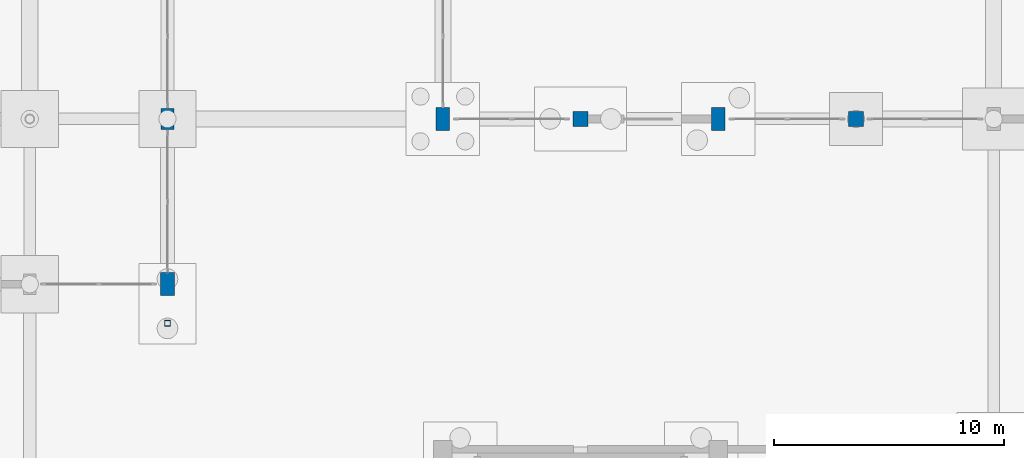
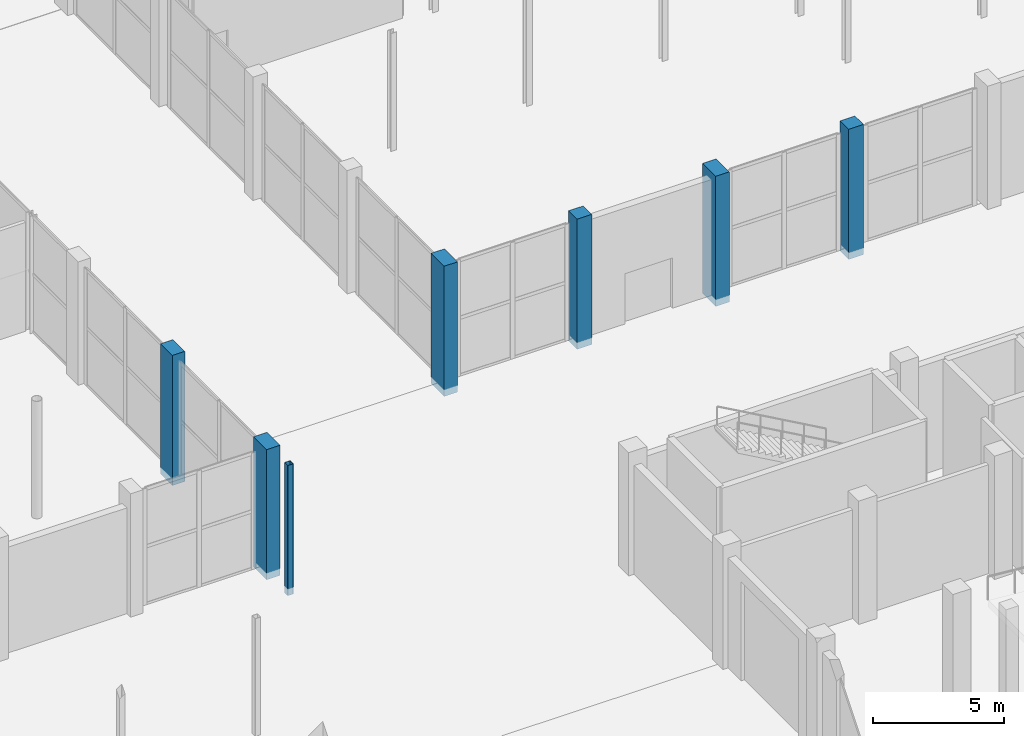
# One storey, part 22 of 103: 7 columns.
"""IFC4 building model written with IfcOpenShell, lengths in metres."""

from ifc_helpers import new_model, si_unit, direction, frame, origin, origin_2d, place, context, subcontext, project, spatial, rectangle, hollow_rectangle, extrude, material, material_profile, profile_set, type_object, element, save


model = new_model("IFC4")

# Units and contexts
model_context = context("Model", 3, precision=1e-05, world=origin(), true_north=direction((0.0, 1.0)))
body_context = subcontext(model_context, "Body", "Model", "MODEL_VIEW")
ifc_project = project(units=[si_unit("LENGTHUNIT", "METRE"), si_unit("AREAUNIT", "SQUARE_METRE"), si_unit("VOLUMEUNIT", "CUBIC_METRE"), si_unit("PLANEANGLEUNIT", "RADIAN"), si_unit("MASSUNIT", "GRAM", prefix="KILO")], contexts=[model_context])

# Site, building, storey
site_placement = place(None, origin())
site = spatial("IfcSite", under=ifc_project, at=site_placement, CompositionType="ELEMENT")
building_placement = place(site_placement, origin())
building = spatial("IfcBuilding", under=site, at=building_placement, Name="Dunvalen Ferry Terminal", CompositionType="ELEMENT")
storey_placement = place(building_placement, origin())
storey = spatial("IfcBuildingStorey", under=building, at=storey_placement, Name="L00", CompositionType="ELEMENT", Elevation=0.0)

# Columns
ifc_material_1 = material(Name="Concrete C40/50", Category="concrete")
ifc_material_profile_1 = material_profile(ifc_material_1, rectangle(XDim=0.60009765625, YDim=1.0, at=origin_2d()), Name="Concrete C40/50")
ifc_profile_set_1 = profile_set([ifc_material_profile_1], Name="Concrete C40/50")
column_type_1 = type_object("IfcColumnType", Name="STR-COL-PIER1000", PredefinedType="COLUMN", material=ifc_profile_set_1)
for number, where, z_axis, x_axis, name in (
    (1, (96.0, 50.39990234375, -0.320068359375), (0.0, 0.0, 1.0), (1.0, 0.0, 0.0), "L00 Departure Hall Perimeter Pier 15"),
    (2, (108.0, 57.60009765625, -0.320068359375), (0.0, 0.0, 1.0), (1.0, 0.0, 0.0), "L00 Arrivals Hall Pier 01"),
    (3, (120.0, 57.60009765625, -0.320068359375), (0.0, 0.0, 1.0), (1.0, 0.0, 0.0), "L00 Arrivals Hall Pier 03"),
):
    element("IfcColumn", number, at=place(storey_placement, frame(where, z_axis=z_axis, x_axis=x_axis)), inside=storey, type_object=column_type_1, Name=name, PredefinedType="COLUMN", context=body_context, shape_type="SweptSolid", body=[
        extrude(rectangle(XDim=0.60009765625, YDim=1.0, at=origin_2d()), origin(), (0.0, 0.0, 1.0), 6.080078125),
    ])
ifc_material_profile_2 = material_profile(ifc_material_1, rectangle(XDim=0.550048828125, YDim=0.89990234375, at=origin_2d()), Name="Concrete C40/50")
ifc_profile_set_2 = profile_set([ifc_material_profile_2], Name="Concrete C40/50")
column_type_2 = type_object("IfcColumnType", Name="STR-COL-PIER900", PredefinedType="COLUMN", material=ifc_profile_set_2)
column_1_placement = place(storey_placement, frame((96.0, 57.60009765625, -0.320068359375), z_axis=(0.0, 0.0, 1.0), x_axis=(1.0, 0.0, 0.0)))
element("IfcColumn", 4, at=column_1_placement, inside=storey, type_object=column_type_2, Name="L00 Departure Hall Perimeter Pier 35", PredefinedType="COLUMN", context=body_context, shape_type="SweptSolid", body=[
    extrude(rectangle(XDim=0.550048828125, YDim=0.89990234375, at=origin_2d()), origin(), (0.0, 0.0, 1.0), 6.080078125),
])
ifc_material_profile_3 = material_profile(ifc_material_1, rectangle(XDim=0.64990234375, YDim=0.64990234375, at=origin_2d()), Name="Concrete C40/50")
ifc_profile_set_3 = profile_set([ifc_material_profile_3], Name="Concrete C40/50")
column_type_3 = type_object("IfcColumnType", Name="STR-COL-RC650", PredefinedType="COLUMN", material=ifc_profile_set_3)
for number, where, z_axis, x_axis, name in (
    (5, (114.0, 57.60009765625, -0.320068359375), (0.0, 0.0, 1.0), (1.0, 0.0, 0.0), "L00 Arrivals Hall Pier 02"),
    (6, (126.0, 57.60009765625, -0.320068359375), (0.0, 0.0, 1.0), (1.0, 0.0, 0.0), "L00 Arrivals Hall Pier 04"),
):
    element("IfcColumn", number, at=place(storey_placement, frame(where, z_axis=z_axis, x_axis=x_axis)), inside=storey, type_object=column_type_3, Name=name, PredefinedType="COLUMN", context=body_context, shape_type="SweptSolid", body=[
        extrude(rectangle(XDim=0.64990234375, YDim=0.64990234375, at=origin_2d()), origin(), (0.0, 0.0, 1.0), 6.080078125),
    ])
ifc_material_2 = material(Name="Steel S355", Category="steel")
ifc_material_profile_4 = material_profile(ifc_material_2, hollow_rectangle(XDim=0.25, YDim=0.25, WallThickness=0.010009765625, InnerFilletRadius=0.010009765625, OuterFilletRadius=0.02001953125, at=origin_2d()), Name="Steel S355")
ifc_profile_set_4 = profile_set([ifc_material_profile_4], Name="Steel S355")
column_type_4 = type_object("IfcColumnType", Name="STR-COL-SHS250", PredefinedType="COLUMN", material=ifc_profile_set_4)
column_2_placement = place(storey_placement, frame((96.0, 48.699951171875, -0.320068359375), z_axis=(0.0, 0.0, 1.0), x_axis=(1.0, 0.0, 0.0)))
element("IfcColumn", 7, at=column_2_placement, inside=storey, type_object=column_type_4, Name="L00 Eave Colonnade Post 6", PredefinedType="COLUMN", context=body_context, shape_type="SweptSolid", body=[
    extrude(hollow_rectangle(XDim=0.25, YDim=0.25, WallThickness=0.010009765625, InnerFilletRadius=0.010009765625, OuterFilletRadius=0.02001953125, at=origin_2d()), origin(), (0.0, 0.0, 1.0), 6.080078125),
])

save(model, "model.ifc")
